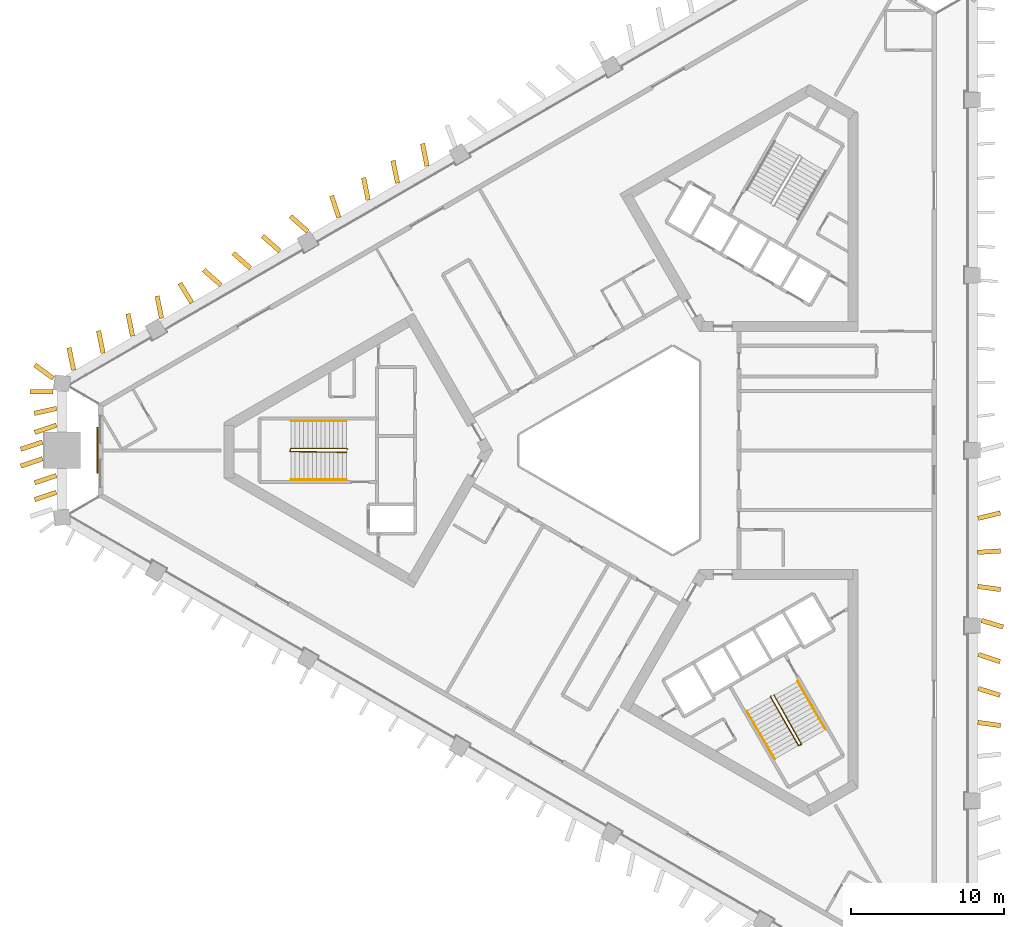
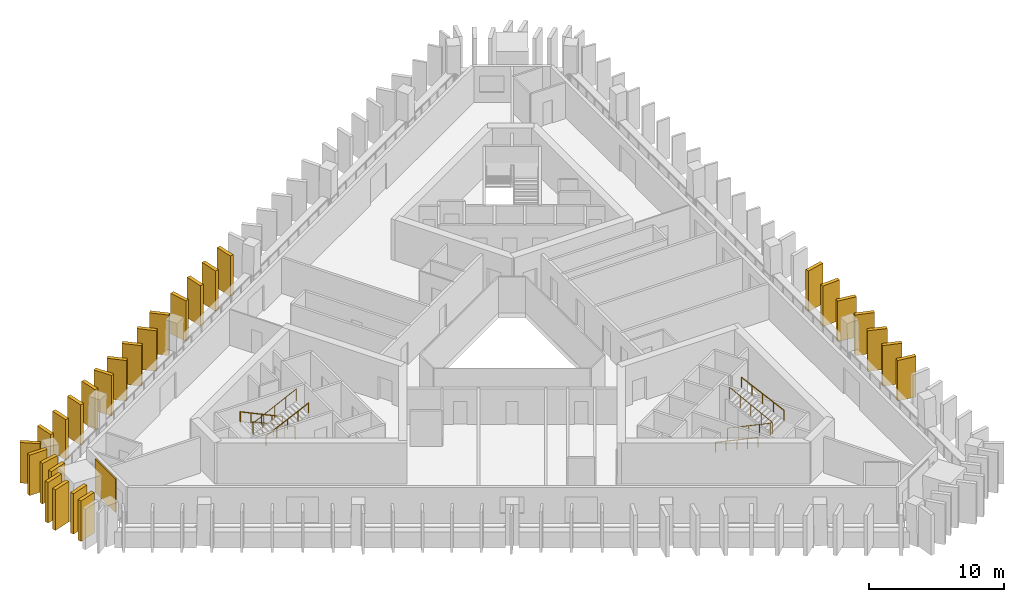
# One storey, part 8 of 10: 28 shading devices, 6 railings, 1 covering.
"""IFC4 building model written with IfcOpenShell, lengths in metres."""

from ifc_helpers import new_model, si_unit, direction, frame, frame_2d, origin, origin_2d, place, context, subcontext, project, spatial, rectangle, circle, extrude, material, layer, layer_set, type_object, element, save


model = new_model("IFC4")

# Units and contexts
model_context = context("Model", 3, precision=1e-05, world=origin(), true_north=direction((0.0, 1.0)))
body_context = subcontext(model_context, "Body", "Model", "MODEL_VIEW")
ifc_project = project(units=[si_unit("LENGTHUNIT", "METRE"), si_unit("AREAUNIT", "SQUARE_METRE"), si_unit("VOLUMEUNIT", "CUBIC_METRE"), si_unit("PLANEANGLEUNIT", "RADIAN"), si_unit("MASSUNIT", "GRAM", prefix="KILO")], contexts=[model_context])

# Site, building, storey
site_placement = place(None, origin())
site = spatial("IfcSite", under=ifc_project, at=site_placement, CompositionType="ELEMENT")
building_placement = place(site_placement, origin())
building = spatial("IfcBuilding", under=site, at=building_placement, Name="Jabali Bay Hotel Tower and Convention Centre", CompositionType="ELEMENT")
storey_placement = place(building_placement, frame((0.0, 0.0, 110.5)))
storey = spatial("IfcBuildingStorey", under=building, at=storey_placement, Name="L26", CompositionType="ELEMENT", Elevation=110.5)

# Shading devices
ifc_material_1 = material(Name="Precast concrete C60", Category="concrete")
ifc_layer_1 = layer(ifc_material_1, 0.300048828125)
ifc_layer_set_1 = layer_set([ifc_layer_1], Name="Precast concrete C60")
shading_device_type = type_object("IfcShadingDeviceType", Name="Precast fin 3680 x 1500", PredefinedType="USERDEFINED", material=ifc_layer_set_1)
for number, where, z_axis, x_axis, name in (
    (1, (97.737548828125, 62.193603515625, 0.010009765625), (0.0, 0.0, 1.0), (0.990699968065, -0.136064592295, 0.0), "Fin L26 005"),
    (2, (97.76220703125, 64.41943359375, 0.010009765625), (0.0, 0.0, 1.0), (0.953747327658, -0.300609439281, 0.0), "Fin L26 006"),
):
    element("IfcShadingDevice", number, at=place(storey_placement, frame(where, z_axis=z_axis, x_axis=x_axis)), inside=storey, type_object=shading_device_type, Name=name, ObjectType="FIN", PredefinedType="USERDEFINED", context=body_context, shape_type="SweptSolid", body=[
        extrude(rectangle(XDim=1.5, YDim=0.300048828125, at=frame_2d((0.75, 0.0))), origin(), (0.0, 0.0, 1.0), 3.679931640625),
    ])
shading_device_1_placement = place(storey_placement, frame((97.764892578125, 66.645263671875, 0.010009765625), z_axis=(0.0, 0.0, 1.0), x_axis=(0.947981177855, -0.3183263835, 0.0)))
element("IfcShadingDevice", 3, at=shading_device_1_placement, inside=storey, type_object=shading_device_type, Name="Fin L26 007", ObjectType="FIN", PredefinedType="USERDEFINED", context=body_context, shape_type="SweptSolid", body=[
    extrude(rectangle(XDim=1.500244140625, YDim=0.300048828125, at=frame_2d((0.75, 0.0))), origin(), (0.0, 0.0, 1.0), 3.679931640625),
])
for number, where, z_axis, x_axis, name in (
    (4, (97.968505859375, 68.870849609375, 0.010009765625), (0.0, 0.0, 1.0), (0.956371784416, -0.292152374579, 0.0), "Fin L26 008"),
    (5, (97.73779296875, 71.0966796875, 0.010009765625), (0.0, 0.0, 1.0), (0.990542721627, -0.137204652371, 0.0), "Fin L26 009"),
    (6, (97.7265625, 73.322509765625, 0.010009765625), (0.0, 0.0, 1.0), (0.998014396012, 0.062986231451, 0.0), "Fin L26 010"),
):
    element("IfcShadingDevice", number, at=place(storey_placement, frame(where, z_axis=z_axis, x_axis=x_axis)), inside=storey, type_object=shading_device_type, Name=name, ObjectType="FIN", PredefinedType="USERDEFINED", context=body_context, shape_type="SweptSolid", body=[
        extrude(rectangle(XDim=1.5, YDim=0.300048828125, at=frame_2d((0.75, 0.0))), origin(), (0.0, 0.0, 1.0), 3.679931640625),
    ])
shading_device_2_placement = place(storey_placement, frame((97.7529296875, 75.54833984375, 0.010009765625), z_axis=(0.0, 0.0, 1.0), x_axis=(0.971308823428, 0.237821717954, 0.0)))
element("IfcShadingDevice", 7, at=shading_device_2_placement, inside=storey, type_object=shading_device_type, Name="Fin L26 011", ObjectType="FIN", PredefinedType="USERDEFINED", context=body_context, shape_type="SweptSolid", body=[
    extrude(rectangle(XDim=1.499755859375, YDim=0.300048828125, at=frame_2d((0.75, 0.0))), origin(), (0.0, 0.0, 1.0), 3.679931640625),
])
for number, where, z_axis, x_axis, name in (
    (8, (61.68994140625, 98.60205078125, 0.010009765625), (0.0, 0.0, 1.0), (-0.198400456872, 0.980121042889, 0.0), "Fin L26 049"),
    (9, (59.76220703125, 97.4892578125, 0.010009765625), (0.0, 0.0, 1.0), (-0.198244099119, 0.980152680537, 0.0), "Fin L26 050"),
    (10, (57.834716796875, 96.376220703125, 0.010009765625), (0.0, 0.0, 1.0), (-0.198400456872, 0.980121042889, 0.0), "Fin L26 051"),
    (11, (55.916259765625, 95.24755859375, 0.010009765625), (0.0, 0.0, 1.0), (-0.320814098944, 0.947142182525, 0.0), "Fin L26 052"),
):
    element("IfcShadingDevice", number, at=place(storey_placement, frame(where, z_axis=z_axis, x_axis=x_axis)), inside=storey, type_object=shading_device_type, Name=name, ObjectType="FIN", PredefinedType="USERDEFINED", context=body_context, shape_type="SweptSolid", body=[
        extrude(rectangle(XDim=1.5, YDim=0.300048828125, at=frame_2d((0.75, 0.0))), origin(), (0.0, 0.0, 1.0), 3.679931640625),
    ])
shading_device_3_placement = place(storey_placement, frame((53.875732421875, 94.330078125, 0.010009765625), z_axis=(0.0, 0.0, 1.0), x_axis=(-0.749605089459, 0.661885344948, 0.0)))
element("IfcShadingDevice", 12, at=shading_device_3_placement, inside=storey, type_object=shading_device_type, Name="Fin L26 053", ObjectType="FIN", PredefinedType="USERDEFINED", context=body_context, shape_type="SweptSolid", body=[
    extrude(rectangle(XDim=1.500244140625, YDim=0.300048828125, at=frame_2d((0.75, 0.0))), origin(), (0.0, 0.0, 1.0), 3.679931640625),
])
shading_device_4_placement = place(storey_placement, frame((52.052001953125, 93.03759765625, 0.010009765625), z_axis=(0.0, 0.0, 1.0), x_axis=(-0.749685839111, 0.66179388229, 0.0)))
element("IfcShadingDevice", 13, at=shading_device_4_placement, inside=storey, type_object=shading_device_type, Name="Fin L26 054", ObjectType="FIN", PredefinedType="USERDEFINED", context=body_context, shape_type="SweptSolid", body=[
    extrude(rectangle(XDim=1.5, YDim=0.300048828125, at=frame_2d((0.75, 0.0))), origin(), (0.0, 0.0, 1.0), 3.679931640625),
])
for number, where, z_axis, x_axis, name in (
    (14, (50.124267578125, 91.924560546875, 0.010009765625), (0.0, 0.0, 1.0), (-0.749605089459, 0.661885344948, 0.0), "Fin L26 055"),
    (15, (48.19677734375, 90.811767578125, 0.010009765625), (0.0, 0.0, 1.0), (-0.749605089459, 0.661885344948, 0.0), "Fin L26 056"),
):
    element("IfcShadingDevice", number, at=place(storey_placement, frame(where, z_axis=z_axis, x_axis=x_axis)), inside=storey, type_object=shading_device_type, Name=name, ObjectType="FIN", PredefinedType="USERDEFINED", context=body_context, shape_type="SweptSolid", body=[
        extrude(rectangle(XDim=1.500244140625, YDim=0.300048828125, at=frame_2d((0.75, 0.0))), origin(), (0.0, 0.0, 1.0), 3.679931640625),
    ])
for number, where, z_axis, x_axis, name in (
    (16, (46.291259765625, 89.660400390625, 0.010009765625), (0.0, 0.0, 1.0), (-0.518702044583, 0.854955080074, 0.0), "Fin L26 057"),
    (17, (44.315185546875, 88.631591796875, 0.010009765625), (0.0, 0.0, 1.0), (-0.198400456872, 0.980121042889, 0.0), "Fin L26 058"),
):
    element("IfcShadingDevice", number, at=place(storey_placement, frame(where, z_axis=z_axis, x_axis=x_axis)), inside=storey, type_object=shading_device_type, Name=name, ObjectType="FIN", PredefinedType="USERDEFINED", context=body_context, shape_type="SweptSolid", body=[
        extrude(rectangle(XDim=1.5, YDim=0.300048828125, at=frame_2d((0.75, 0.0))), origin(), (0.0, 0.0, 1.0), 3.679931640625),
    ])
for number, where, z_axis, x_axis, name in (
    (18, (42.413818359375, 87.47314453125, 0.010009765625), (0.0, 0.0, 1.0), (-0.19858847642, 0.980082964362, 0.0), "Fin L26 059"),
    (19, (40.486328125, 86.360107421875, 0.010009765625), (0.0, 0.0, 1.0), (-0.199245565086, 0.979949592986, 0.0), "Fin L26 060"),
):
    element("IfcShadingDevice", number, at=place(storey_placement, frame(where, z_axis=z_axis, x_axis=x_axis)), inside=storey, type_object=shading_device_type, Name=name, ObjectType="FIN", PredefinedType="USERDEFINED", context=body_context, shape_type="SweptSolid", body=[
        extrude(rectangle(XDim=1.499755859375, YDim=0.300048828125, at=frame_2d((0.75, 0.0))), origin(), (0.0, 0.0, 1.0), 3.679931640625),
    ])
for number, where, z_axis, x_axis, name in (
    (20, (38.558837890625, 85.246826171875, 0.010009765625), (0.0, 0.0, 1.0), (-0.201809049323, 0.979424886151, 0.0), "Fin L26 061"),
    (21, (37.210205078125, 83.8466796875, 0.010009765625), (0.0, 0.0, 1.0), (-0.999999152291, -0.00130208223, 0.0), "Fin L26 062"),
    (22, (37.445556640625, 82.74755859375, 0.010009765625), (0.0, 0.0, 1.0), (-0.976141079246, -0.217137268587, 0.0), "Fin L26 063"),
):
    element("IfcShadingDevice", number, at=place(storey_placement, frame(where, z_axis=z_axis, x_axis=x_axis)), inside=storey, type_object=shading_device_type, Name=name, ObjectType="FIN", PredefinedType="USERDEFINED", context=body_context, shape_type="SweptSolid", body=[
        extrude(rectangle(XDim=1.5, YDim=0.300048828125, at=frame_2d((0.75, 0.0))), origin(), (0.0, 0.0, 1.0), 3.679931640625),
    ])
shading_device_5_placement = place(storey_placement, frame((37.430419921875, 81.648681640625, 0.010009765625), z_axis=(0.0, 0.0, 1.0), x_axis=(-0.947981177855, -0.3183263835, 0.0)))
element("IfcShadingDevice", 23, at=shading_device_5_placement, inside=storey, type_object=shading_device_type, Name="Fin L26 064", ObjectType="FIN", PredefinedType="USERDEFINED", context=body_context, shape_type="SweptSolid", body=[
    extrude(rectangle(XDim=1.500244140625, YDim=0.300048828125, at=frame_2d((0.75, 0.0))), origin(), (0.0, 0.0, 1.0), 3.679931640625),
])
shading_device_6_placement = place(storey_placement, frame((36.517822265625, 80.549560546875, 0.010009765625), z_axis=(0.0, 0.0, 1.0), x_axis=(-0.94796468296, -0.318375501351, 0.0)))
element("IfcShadingDevice", 24, at=shading_device_6_placement, inside=storey, type_object=shading_device_type, Name="Fin L26 065", ObjectType="FIN", PredefinedType="USERDEFINED", context=body_context, shape_type="SweptSolid", body=[
    extrude(rectangle(XDim=1.5, YDim=0.300048828125, at=frame_2d((0.75, 0.0))), origin(), (0.0, 0.0, 1.0), 3.679931640625),
])
shading_device_7_placement = place(storey_placement, frame((36.517822265625, 79.450439453125, 0.010009765625), z_axis=(0.0, 0.0, 1.0), x_axis=(-0.948013799223, -0.318229220034, 0.0)))
element("IfcShadingDevice", 25, at=shading_device_7_placement, inside=storey, type_object=shading_device_type, Name="Fin L26 066", ObjectType="FIN", PredefinedType="USERDEFINED", context=body_context, shape_type="SweptSolid", body=[
    extrude(rectangle(XDim=1.499755859375, YDim=0.300048828125, at=frame_2d((0.75, 0.0))), origin(), (0.0, 0.0, 1.0), 3.679931640625),
])
shading_device_8_placement = place(storey_placement, frame((37.430419921875, 78.351318359375, 0.010009765625), z_axis=(0.0, 0.0, 1.0), x_axis=(-0.948030279817, -0.318180119664, 0.0)))
element("IfcShadingDevice", 26, at=shading_device_8_placement, inside=storey, type_object=shading_device_type, Name="Fin L26 067", ObjectType="FIN", PredefinedType="USERDEFINED", context=body_context, shape_type="SweptSolid", body=[
    extrude(rectangle(XDim=1.5, YDim=0.300048828125, at=frame_2d((0.75, 0.0))), origin(), (0.0, 0.0, 1.0), 3.679931640625),
])
shading_device_9_placement = place(storey_placement, frame((37.430419921875, 77.25244140625, 0.010009765625), z_axis=(0.0, 0.0, 1.0), x_axis=(-0.947981177855, -0.3183263835, 0.0)))
element("IfcShadingDevice", 27, at=shading_device_9_placement, inside=storey, type_object=shading_device_type, Name="Fin L26 068", ObjectType="FIN", PredefinedType="USERDEFINED", context=body_context, shape_type="SweptSolid", body=[
    extrude(rectangle(XDim=1.500244140625, YDim=0.300048828125, at=frame_2d((0.75, 0.0))), origin(), (0.0, 0.0, 1.0), 3.679931640625),
])
shading_device_10_placement = place(storey_placement, frame((37.22412109375, 84.70849609375, 0.010009765625), z_axis=(0.0, 0.0, 1.0), x_axis=(-0.806534347222, 0.591187234936, 0.0)))
element("IfcShadingDevice", 28, at=shading_device_10_placement, inside=storey, type_object=shading_device_type, Name="Fin L26 108", ObjectType="FIN", PredefinedType="USERDEFINED", context=body_context, shape_type="SweptSolid", body=[
    extrude(rectangle(XDim=1.5, YDim=0.300048828125, at=frame_2d((0.75, 0.0))), origin(), (0.0, 0.0, 1.0), 3.679931640625),
])

# Covering
ifc_material_2 = material(Name="Precast concrete C40/50", Category="concrete")
ifc_layer_2 = layer(ifc_material_2, 0.080078125)
ifc_layer_set_2 = layer_set([ifc_layer_2], Name="Precast concrete C40/50")
covering_type = type_object("IfcCoveringType", Name="Relief panel 3000 x 3050", PredefinedType="CLADDING", material=ifc_layer_set_2)
covering_placement = place(storey_placement, frame((40.125, 80.0, 0.10009765625), z_axis=(0.0, 0.0, 1.0), x_axis=(0.0, 1.0, 0.0)))
element("IfcCovering", 29, at=covering_placement, inside=storey, type_object=covering_type, Name="Relief panel L26", PredefinedType="CLADDING", context=body_context, shape_type="SweptSolid", body=[
    extrude(rectangle(XDim=3.0, YDim=0.080078125, at=origin_2d()), origin(), (0.0, 0.0, 1.0), 3.050048828125),
])

# Railings
ifc_material_3 = material(Name="Steel Q355B", Category="steel")
railing_type_1 = type_object("IfcRailingType", Name="Stair guard 1100", PredefinedType="GUARDRAIL", material=ifc_material_3)
railing_1_placement = place(storey_placement, frame((56.469970703125, 80.074951171875, 0.0)))
element("IfcRailing", 30, at=railing_1_placement, inside=storey, type_object=railing_type_1, Name="L26 ST1 stair guard 1", PredefinedType="GUARDRAIL", context=body_context, shape_type="SweptSolid", body=[
    extrude(circle(Radius=0.02392578125, at=origin_2d()), frame((0.0, 0.0, 1.076171875), z_axis=(-0.333993628408, 0.333993628408, 0.881417331555), x_axis=(-0.707106781187, -0.707106781187, 0.0)), (0.0, 0.0, 1.0), 0.14990234375),
    extrude(circle(Radius=0.02392578125, at=origin_2d()), frame((-0.050048828125, 0.050048828125, 1.2080078125), z_axis=(-0.904327350853, 0.0, 0.426839598092), x_axis=(0.0, -1.0, 0.0)), (0.0, 0.0, 1.0), 4.02490234375),
    extrude(circle(Radius=0.02392578125, at=origin_2d()), frame((-3.68994140625, 0.050048828125, 2.92626953125), z_axis=(-0.242814311512, -0.970072785993, 0.0), x_axis=(0.970072785993, -0.242814311512, 0.0)), (0.0, 0.0, 1.0), 0.2060546875),
    extrude(circle(Radius=0.02392578125, at=origin_2d()), frame((-3.739990234375, -0.14990234375, 2.92626953125), z_axis=(0.893887803671, -0.012124321804, 0.4481267625), x_axis=(0.013562335953, 0.999908027292, 0.0)), (0.0, 0.0, 1.0), 4.1279296875),
    extrude(circle(Radius=0.02099609375, at=origin_2d()), origin(), (0.0, 0.0, 1.0), 1.052001953125),
    extrude(circle(Radius=0.02099609375, at=origin_2d()), frame((-0.050048828125, 0.050048828125, 0.132080078125)), (0.0, 0.0, 1.0), 1.052001953125),
    extrude(circle(Radius=0.02099609375, at=origin_2d()), frame((-0.9599609375, 0.050048828125, 0.5615234375)), (0.0, 0.0, 1.0), 1.052001953125),
    extrude(circle(Radius=0.02099609375, at=origin_2d()), frame((-1.8701171875, 0.050048828125, 0.9912109375)), (0.0, 0.0, 1.0), 1.052001953125),
    extrude(circle(Radius=0.02099609375, at=origin_2d()), frame((-2.780029296875, 0.050048828125, 1.420654296875)), (0.0, 0.0, 1.0), 1.052001953125),
    extrude(circle(Radius=0.02099609375, at=origin_2d()), frame((-3.68994140625, 0.050048828125, 1.85009765625)), (0.0, 0.0, 1.0), 1.052001953125),
    extrude(circle(Radius=0.02099609375, at=origin_2d()), frame((-3.739990234375, -0.14990234375, 1.85009765625)), (0.0, 0.0, 1.0), 1.052001953125),
    extrude(circle(Radius=0.02099609375, at=origin_2d()), frame((-2.8173828125, -0.162353515625, 2.3125)), (0.0, 0.0, 1.0), 1.052001953125),
    extrude(circle(Radius=0.02099609375, at=origin_2d()), frame((-1.89501953125, -0.1748046875, 2.77490234375)), (0.0, 0.0, 1.0), 1.052001953125),
    extrude(circle(Radius=0.02099609375, at=origin_2d()), frame((-0.97265625, -0.1875, 3.237548828125)), (0.0, 0.0, 1.0), 1.052001953125),
    extrude(circle(Radius=0.02099609375, at=origin_2d()), frame((-0.050048828125, -0.199951171875, 3.699951171875)), (0.0, 0.0, 1.0), 1.052001953125),
])
railing_2_placement = place(storey_placement, frame((84.199951171875, 63.9150390625, 0.0)))
element("IfcRailing", 31, at=railing_2_placement, inside=storey, type_object=railing_type_1, Name="L26 ST3 stair guard 1", PredefinedType="GUARDRAIL", context=body_context, shape_type="SweptSolid", body=[
    extrude(circle(Radius=0.02392578125, at=origin_2d()), frame((0.0, 0.0, 1.076171875), z_axis=(-0.122196845461, -0.456201556387, 0.881446578591), x_axis=(0.965948051503, -0.258736085224, 0.0)), (0.0, 0.0, 1.0), 0.14990234375),
    extrude(circle(Radius=0.02392578125, at=origin_2d()), frame((-0.018310546875, -0.068359375, 1.2080078125), z_axis=(0.45217862506, -0.783169739339, 0.426825081763), x_axis=(0.866018046521, 0.500012742938, 0.0)), (0.0, 0.0, 1.0), 4.025146484375),
    extrude(circle(Radius=0.02392578125, at=origin_2d()), frame((1.8017578125, -3.220703125, 2.92626953125), z_axis=(0.96121063429, 0.275815366736, 0.0), x_axis=(-0.275815366736, 0.96121063429, 0.0)), (0.0, 0.0, 1.0), 0.206298828125),
    extrude(circle(Radius=0.02392578125, at=origin_2d()), frame((2.0, -3.163818359375, 2.92626953125), z_axis=(-0.436481798955, 0.780166857725, 0.448133142368), x_axis=(-0.872702246529, -0.488252792008, 0.0)), (0.0, 0.0, 1.0), 4.1279296875),
    extrude(circle(Radius=0.02099609375, at=origin_2d()), origin(), (0.0, 0.0, 1.0), 1.052001953125),
    extrude(circle(Radius=0.02099609375, at=origin_2d()), frame((-0.018310546875, -0.068359375, 0.132080078125)), (0.0, 0.0, 1.0), 1.052001953125),
    extrude(circle(Radius=0.02099609375, at=origin_2d()), frame((0.436767578125, -0.8564453125, 0.5615234375)), (0.0, 0.0, 1.0), 1.052001953125),
    extrude(circle(Radius=0.02099609375, at=origin_2d()), frame((0.8916015625, -1.64453125, 0.9912109375)), (0.0, 0.0, 1.0), 1.052001953125),
    extrude(circle(Radius=0.02099609375, at=origin_2d()), frame((1.3466796875, -2.4326171875, 1.420654296875)), (0.0, 0.0, 1.0), 1.052001953125),
    extrude(circle(Radius=0.02099609375, at=origin_2d()), frame((1.8017578125, -3.220703125, 1.85009765625)), (0.0, 0.0, 1.0), 1.052001953125),
    extrude(circle(Radius=0.02099609375, at=origin_2d()), frame((2.0, -3.163818359375, 1.85009765625)), (0.0, 0.0, 1.0), 1.052001953125),
    extrude(circle(Radius=0.02099609375, at=origin_2d()), frame((1.549560546875, -2.358642578125, 2.3125)), (0.0, 0.0, 1.0), 1.052001953125),
    extrude(circle(Radius=0.02099609375, at=origin_2d()), frame((1.09912109375, -1.5537109375, 2.77490234375)), (0.0, 0.0, 1.0), 1.052001953125),
    extrude(circle(Radius=0.02099609375, at=origin_2d()), frame((0.648681640625, -0.74853515625, 3.237548828125)), (0.0, 0.0, 1.0), 1.052001953125),
    extrude(circle(Radius=0.02099609375, at=origin_2d()), frame((0.1982421875, 0.056640625, 3.699951171875)), (0.0, 0.0, 1.0), 1.052001953125),
])
railing_type_2 = type_object("IfcRailingType", Name="Stair handrail 900", PredefinedType="HANDRAIL", material=ifc_material_3)
railing_3_placement = place(storey_placement, frame((56.419921875, 81.925048828125, 0.132080078125)))
element("IfcRailing", 32, at=railing_3_placement, inside=storey, type_object=railing_type_2, Name="L26 ST1 stair handrail 1", PredefinedType="HANDRAIL", context=body_context, shape_type="SweptSolid", body=[
    extrude(circle(Radius=0.02392578125, at=origin_2d()), frame((0.0, 0.0, 0.8759765625), z_axis=(-0.904327350853, 0.0, 0.426839598092), x_axis=(0.0, -1.0, 0.0)), (0.0, 0.0, 1.0), 4.02490234375),
    extrude(circle(Radius=0.02099609375, at=origin_2d()), origin(), (0.0, 0.0, 1.0), 0.851806640625),
    extrude(circle(Radius=0.02099609375, at=origin_2d()), frame((-0.909912109375, 0.0, 0.429443359375)), (0.0, 0.0, 1.0), 0.851806640625),
    extrude(circle(Radius=0.02099609375, at=origin_2d()), frame((-1.81982421875, 0.0, 0.85888671875)), (0.0, 0.0, 1.0), 0.851806640625),
    extrude(circle(Radius=0.02099609375, at=origin_2d()), frame((-2.72998046875, 0.0, 1.28857421875)), (0.0, 0.0, 1.0), 0.851806640625),
    extrude(circle(Radius=0.02099609375, at=origin_2d()), frame((-3.639892578125, 0.0, 1.718017578125)), (0.0, 0.0, 1.0), 0.851806640625),
])
railing_4_placement = place(storey_placement, frame((52.780029296875, 78.074951171875, 1.982177734375)))
element("IfcRailing", 33, at=railing_4_placement, inside=storey, type_object=railing_type_2, Name="L26 ST1 stair handrail 2", PredefinedType="HANDRAIL", context=body_context, shape_type="SweptSolid", body=[
    extrude(circle(Radius=0.02392578125, at=origin_2d()), frame((0.0, 0.0, 0.8759765625), z_axis=(0.904350763662, 0.0, 0.426789990819), x_axis=(0.0, 1.0, 0.0)), (0.0, 0.0, 1.0), 4.02490234375),
    extrude(circle(Radius=0.02099609375, at=origin_2d()), origin(), (0.0, 0.0, 1.0), 0.851806640625),
    extrude(circle(Radius=0.02099609375, at=origin_2d()), frame((0.909912109375, 0.0, 0.429443359375)), (0.0, 0.0, 1.0), 0.851806640625),
    extrude(circle(Radius=0.02099609375, at=origin_2d()), frame((1.81982421875, 0.0, 0.85888671875)), (0.0, 0.0, 1.0), 0.851806640625),
    extrude(circle(Radius=0.02099609375, at=origin_2d()), frame((2.72998046875, 0.0, 1.288330078125)), (0.0, 0.0, 1.0), 0.851806640625),
    extrude(circle(Radius=0.02099609375, at=origin_2d()), frame((3.639892578125, 0.0, 1.7177734375)), (0.0, 0.0, 1.0), 0.851806640625),
])
railing_5_placement = place(storey_placement, frame((82.622802734375, 62.94677734375, 0.132080078125)))
element("IfcRailing", 34, at=railing_5_placement, inside=storey, type_object=railing_type_2, Name="L26 ST3 stair handrail 1", PredefinedType="HANDRAIL", context=body_context, shape_type="SweptSolid", body=[
    extrude(circle(Radius=0.02392578125, at=origin_2d()), frame((0.0, 0.0, 0.8759765625), z_axis=(0.45217862506, -0.783169739339, 0.426825081763), x_axis=(0.866018046521, 0.500012742938, 0.0)), (0.0, 0.0, 1.0), 4.025146484375),
    extrude(circle(Radius=0.02099609375, at=origin_2d()), origin(), (0.0, 0.0, 1.0), 0.851806640625),
    extrude(circle(Radius=0.02099609375, at=origin_2d()), frame((0.455078125, -0.7880859375, 0.429443359375)), (0.0, 0.0, 1.0), 0.851806640625),
    extrude(circle(Radius=0.02099609375, at=origin_2d()), frame((0.91015625, -1.576171875, 0.85888671875)), (0.0, 0.0, 1.0), 0.851806640625),
    extrude(circle(Radius=0.02099609375, at=origin_2d()), frame((1.364990234375, -2.3642578125, 1.28857421875)), (0.0, 0.0, 1.0), 0.851806640625),
    extrude(circle(Radius=0.02099609375, at=origin_2d()), frame((1.820068359375, -3.15234375, 1.718017578125)), (0.0, 0.0, 1.0), 0.851806640625),
])
railing_6_placement = place(storey_placement, frame((87.777099609375, 61.719482421875, 1.982177734375)))
element("IfcRailing", 35, at=railing_6_placement, inside=storey, type_object=railing_type_2, Name="L26 ST3 stair handrail 2", PredefinedType="HANDRAIL", context=body_context, shape_type="SweptSolid", body=[
    extrude(circle(Radius=0.02392578125, at=origin_2d()), frame((0.0, 0.0, 0.8759765625), z_axis=(-0.452190331055, 0.783190014029, 0.426775475427), x_axis=(-0.866018046521, -0.500012742938, 0.0)), (0.0, 0.0, 1.0), 4.02490234375),
    extrude(circle(Radius=0.02099609375, at=origin_2d()), origin(), (0.0, 0.0, 1.0), 0.851806640625),
    extrude(circle(Radius=0.02099609375, at=origin_2d()), frame((-0.455078125, 0.7880859375, 0.429443359375)), (0.0, 0.0, 1.0), 0.851806640625),
    extrude(circle(Radius=0.02099609375, at=origin_2d()), frame((-0.91015625, 1.576171875, 0.85888671875)), (0.0, 0.0, 1.0), 0.851806640625),
    extrude(circle(Radius=0.02099609375, at=origin_2d()), frame((-1.364990234375, 2.3642578125, 1.288330078125)), (0.0, 0.0, 1.0), 0.851806640625),
    extrude(circle(Radius=0.02099609375, at=origin_2d()), frame((-1.820068359375, 3.15234375, 1.7177734375)), (0.0, 0.0, 1.0), 0.851806640625),
])

save(model, "model.ifc")
